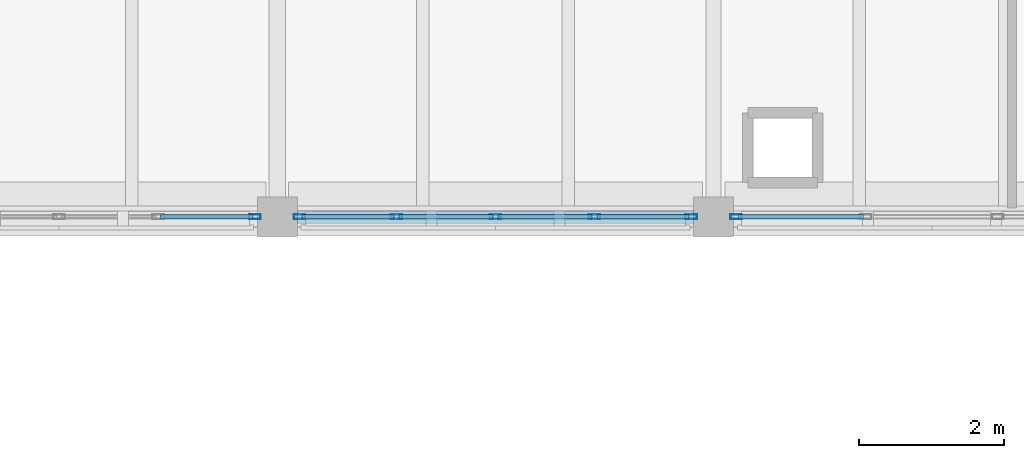
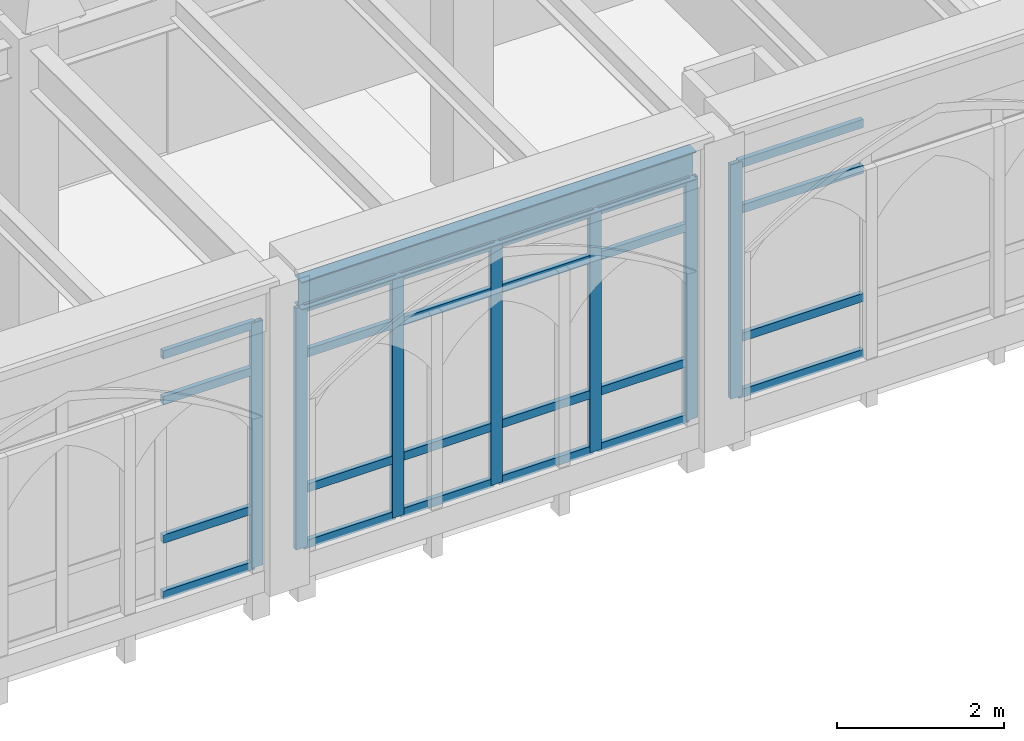
# One storey, part 16 of 108: 31 members, 1 beam, 3 elements without a shape of their own.
"""IFC4 building model written with IfcOpenShell, lengths in metres."""

from ifc_helpers import new_model, si_unit, direction, frame, origin, origin_2d, place, context, subcontext, project, spatial, hollow_rectangle, i_section, extrude, material, layer, layer_set, material_profile, profile_set, type_object, element, aggregate, save


model = new_model("IFC4")

# Units and contexts
model_context = context("Model", 3, precision=1e-05, world=origin(), true_north=direction((0.0, 1.0)))
body_context = subcontext(model_context, "Body", "Model", "MODEL_VIEW")
ifc_project = project(units=[si_unit("LENGTHUNIT", "METRE"), si_unit("AREAUNIT", "SQUARE_METRE"), si_unit("VOLUMEUNIT", "CUBIC_METRE"), si_unit("PLANEANGLEUNIT", "RADIAN"), si_unit("MASSUNIT", "GRAM", prefix="KILO")], contexts=[model_context])

# Site, building, storey
site_placement = place(None, origin())
site = spatial("IfcSite", under=ifc_project, at=site_placement, CompositionType="ELEMENT")
building_placement = place(site_placement, origin())
building = spatial("IfcBuilding", under=site, at=building_placement, Name="Cumevento Cable Car Station", CompositionType="ELEMENT")
storey_placement = place(building_placement, frame((0.0, 0.0, 13.5)))
storey = spatial("IfcBuildingStorey", under=building, at=storey_placement, Name="L04", CompositionType="ELEMENT", Elevation=13.5)

# Curtain wall, member
ifc_material_1 = material(Name="Anodised Bronze Aluminium AW-6063-T6", Category="aluminium")
ifc_layer_1 = layer(ifc_material_1, 0.22607421875)
ifc_layer_set_1 = layer_set([ifc_layer_1], Name="Anodised Bronze Aluminium AW-6063-T6")
curtain_wall_type_1 = type_object("IfcCurtainWallType", Name="Lancet Curtain Wall CW-12 1490", PredefinedType="NOTDEFINED", material=ifc_layer_set_1)
curtain_wall_1_placement = place(storey_placement, origin())
curtain_wall_1 = element("IfcCurtainWall", 1, at=curtain_wall_1_placement, inside=storey, type_object=curtain_wall_type_1, Name="Lancet Curtain Wall CW-12 L04 #155", PredefinedType="NOTDEFINED")
ifc_material_2 = material(Name="Anodised Bronze Aluminium AW-6063-T6", Category="aluminium")
ifc_material_profile_1 = material_profile(ifc_material_2, hollow_rectangle(XDim=0.06494140625, YDim=0.159912109375, WallThickness=0.00390625, at=origin_2d()), Name="ALUM65x160x4")
ifc_profile_set_1 = profile_set([ifc_material_profile_1], Name="Anodised Bronze Aluminium AW-6063-T6")
member_type_1 = type_object("IfcMemberType", Name="Curtain Mullion CWM-01 ALUM65x160x4", PredefinedType="MULLION", material=ifc_profile_set_1)
member_1_placement = place(storey_placement, frame((33.6923828125, 45.0, 0.31005859375), z_axis=(0.0, 0.0, 1.0), x_axis=(0.0, -1.0, 0.0)))
member_1 = element("IfcMember", 2, at=member_1_placement, type_object=member_type_1, Name="CW-12 mullion 1", PredefinedType="MULLION", context=body_context, shape_type="SweptSolid", body=[
    extrude(hollow_rectangle(XDim=0.06494140625, YDim=0.159912109375, WallThickness=0.00390625, at=origin_2d()), origin(), (0.0, 0.0, 1.0), 3.571044921875),
])

# Curtain wall, members
ifc_material_3 = material(Name="Anodised Bronze Aluminium AW-6063-T6", Category="aluminium")
ifc_layer_2 = layer(ifc_material_3, 0.23193359375)
ifc_layer_set_2 = layer_set([ifc_layer_2], Name="Anodised Bronze Aluminium AW-6063-T6")
curtain_wall_type_2 = type_object("IfcCurtainWallType", Name="Lancet Curtain Wall CW-13 1530", PredefinedType="NOTDEFINED", material=ifc_layer_set_2)
curtain_wall_2_placement = place(storey_placement, origin())
curtain_wall_2 = element("IfcCurtainWall", 3, at=curtain_wall_2_placement, inside=storey, type_object=curtain_wall_type_2, Name="Lancet Curtain Wall CW-13 L04 #156", PredefinedType="NOTDEFINED")
member_2_placement = place(storey_placement, frame((39.6923828125, 45.0, 0.360107421875), z_axis=(0.0, 0.0, 1.0), x_axis=(0.0, -1.0, 0.0)))
member_2 = element("IfcMember", 4, at=member_2_placement, type_object=member_type_1, Name="CW-13 mullion 1", PredefinedType="MULLION", context=body_context, shape_type="SweptSolid", body=[
    extrude(hollow_rectangle(XDim=0.06494140625, YDim=0.159912109375, WallThickness=0.00390625, at=origin_2d()), origin(), (0.0, 0.0, 1.0), 3.52099609375),
])
member_3_placement = place(storey_placement, frame((38.362548828125, 45.0, 0.360107421875), z_axis=(0.0, 0.0, 1.0), x_axis=(0.0, -1.0, 0.0)))
member_3 = element("IfcMember", 5, at=member_3_placement, type_object=member_type_1, Name="CW-13 mullion 2", PredefinedType="MULLION", context=body_context, shape_type="SweptSolid", body=[
    extrude(hollow_rectangle(XDim=0.06494140625, YDim=0.159912109375, WallThickness=0.00390625, at=origin_2d()), origin(), (0.0, 0.0, 1.0), 3.52099609375),
])
member_4_placement = place(storey_placement, frame((37.0, 45.0, 0.360107421875), z_axis=(0.0, 0.0, 1.0), x_axis=(0.0, -1.0, 0.0)))
member_4 = element("IfcMember", 6, at=member_4_placement, type_object=member_type_1, Name="CW-13 mullion 3", PredefinedType="MULLION", context=body_context, shape_type="SweptSolid", body=[
    extrude(hollow_rectangle(XDim=0.06494140625, YDim=0.159912109375, WallThickness=0.00390625, at=origin_2d()), origin(), (0.0, 0.0, 1.0), 3.52099609375),
])
member_5_placement = place(storey_placement, frame((35.637451171875, 45.0, 0.360107421875), z_axis=(0.0, 0.0, 1.0), x_axis=(0.0, -1.0, 0.0)))
member_5 = element("IfcMember", 7, at=member_5_placement, type_object=member_type_1, Name="CW-13 mullion 4", PredefinedType="MULLION", context=body_context, shape_type="SweptSolid", body=[
    extrude(hollow_rectangle(XDim=0.06494140625, YDim=0.159912109375, WallThickness=0.00390625, at=origin_2d()), origin(), (0.0, 0.0, 1.0), 3.52099609375),
])
member_6_placement = place(storey_placement, frame((34.3076171875, 45.0, 0.360107421875), z_axis=(0.0, 0.0, 1.0), x_axis=(0.0, -1.0, 0.0)))
member_6 = element("IfcMember", 8, at=member_6_placement, type_object=member_type_1, Name="CW-13 mullion 5", PredefinedType="MULLION", context=body_context, shape_type="SweptSolid", body=[
    extrude(hollow_rectangle(XDim=0.06494140625, YDim=0.159912109375, WallThickness=0.00390625, at=origin_2d()), origin(), (0.0, 0.0, 1.0), 3.52099609375),
])

# Curtain wall, member
ifc_material_4 = material(Name="Anodised Bronze Aluminium AW-6063-T6", Category="aluminium")
ifc_layer_3 = layer(ifc_material_4, 0.243896484375)
ifc_layer_set_3 = layer_set([ifc_layer_3], Name="Anodised Bronze Aluminium AW-6063-T6")
curtain_wall_type_3 = type_object("IfcCurtainWallType", Name="Lancet Curtain Wall CW-15 1610", PredefinedType="NOTDEFINED", material=ifc_layer_set_3)
curtain_wall_3_placement = place(storey_placement, origin())
curtain_wall_3 = element("IfcCurtainWall", 9, at=curtain_wall_3_placement, inside=storey, type_object=curtain_wall_type_3, Name="Lancet Curtain Wall CW-15 L04 #158", PredefinedType="NOTDEFINED")
member_7_placement = place(storey_placement, frame((40.3076171875, 45.0, 0.4599609375), z_axis=(0.0, 0.0, 1.0), x_axis=(0.0, -1.0, 0.0)))
member_7 = element("IfcMember", 10, at=member_7_placement, type_object=member_type_1, Name="CW-15 mullion 4", PredefinedType="MULLION", context=body_context, shape_type="SweptSolid", body=[
    extrude(hollow_rectangle(XDim=0.06494140625, YDim=0.159912109375, WallThickness=0.00390625, at=origin_2d()), origin(), (0.0, 0.0, 1.0), 3.421142578125),
])

# Member
ifc_material_5 = material(Name="Anodised Bronze Aluminium AW-6063-T6", Category="aluminium")
ifc_material_profile_2 = material_profile(ifc_material_5, hollow_rectangle(XDim=0.06494140625, YDim=0.1201171875, WallThickness=0.00390625, at=origin_2d()), Name="ALUT65x120x4")
ifc_profile_set_2 = profile_set([ifc_material_profile_2], Name="Anodised Bronze Aluminium AW-6063-T6")
member_type_2 = type_object("IfcMemberType", Name="Curtain Transom CWT-01 ALUT65x120x4", PredefinedType="USERDEFINED", material=ifc_profile_set_2)
member_8_placement = place(storey_placement, frame((33.659912109375, 45.0, 0.342529296875), z_axis=(-1.0, 0.0, 0.0), x_axis=(0.0, -1.0, 0.0)))
member_8 = element("IfcMember", 11, at=member_8_placement, type_object=member_type_2, Name="CW-12 transom 1.1", ObjectType="TRANSOM", PredefinedType="USERDEFINED", context=body_context, shape_type="SweptSolid", body=[
    extrude(hollow_rectangle(XDim=0.06494140625, YDim=0.1201171875, WallThickness=0.00390625, at=origin_2d()), origin(), (0.0, 0.0, 1.0), 1.264892578125),
])

member_9_placement = place(storey_placement, frame((33.659912109375, 45.0, 1.159912109375), z_axis=(-1.0, 0.0, 0.0), x_axis=(0.0, -1.0, 0.0)))
member_9 = element("IfcMember", 12, at=member_9_placement, type_object=member_type_2, Name="CW-12 transom 1.2", ObjectType="TRANSOM", PredefinedType="USERDEFINED", context=body_context, shape_type="SweptSolid", body=[
    extrude(hollow_rectangle(XDim=0.06494140625, YDim=0.1201171875, WallThickness=0.00390625, at=origin_2d()), origin(), (0.0, 0.0, 1.0), 1.264892578125),
])

member_10_placement = place(storey_placement, frame((33.659912109375, 45.0, 3.180908203125), z_axis=(-1.0, 0.0, 0.0), x_axis=(0.0, -1.0, 0.0)))
member_10 = element("IfcMember", 13, at=member_10_placement, type_object=member_type_2, Name="CW-12 transom 1.3", ObjectType="TRANSOM", PredefinedType="USERDEFINED", context=body_context, shape_type="SweptSolid", body=[
    extrude(hollow_rectangle(XDim=0.06494140625, YDim=0.1201171875, WallThickness=0.00390625, at=origin_2d()), origin(), (0.0, 0.0, 1.0), 1.264892578125),
])

member_11_placement = place(storey_placement, frame((33.659912109375, 45.0, 3.848388671875), z_axis=(-1.0, 0.0, 0.0), x_axis=(0.0, -1.0, 0.0)))
member_11 = element("IfcMember", 14, at=member_11_placement, type_object=member_type_2, Name="CW-12 transom 1.4", ObjectType="TRANSOM", PredefinedType="USERDEFINED", context=body_context, shape_type="SweptSolid", body=[
    extrude(hollow_rectangle(XDim=0.06494140625, YDim=0.1201171875, WallThickness=0.00390625, at=origin_2d()), origin(), (0.0, 0.0, 1.0), 1.264892578125),
])

aggregate(curtain_wall_1, [member_1, member_8, member_9, member_10, member_11])

member_12_placement = place(storey_placement, frame((39.659912109375, 45.0, 0.392578125), z_axis=(-1.0, 0.0, 0.0), x_axis=(0.0, -1.0, 0.0)))
member_12 = element("IfcMember", 15, at=member_12_placement, type_object=member_type_2, Name="CW-13 transom 1.1", ObjectType="TRANSOM", PredefinedType="USERDEFINED", context=body_context, shape_type="SweptSolid", body=[
    extrude(hollow_rectangle(XDim=0.06494140625, YDim=0.1201171875, WallThickness=0.00390625, at=origin_2d()), origin(), (0.0, 0.0, 1.0), 1.264892578125),
])

member_13_placement = place(storey_placement, frame((39.659912109375, 45.0, 1.2099609375), z_axis=(-1.0, 0.0, 0.0), x_axis=(0.0, -1.0, 0.0)))
member_13 = element("IfcMember", 16, at=member_13_placement, type_object=member_type_2, Name="CW-13 transom 1.2", ObjectType="TRANSOM", PredefinedType="USERDEFINED", context=body_context, shape_type="SweptSolid", body=[
    extrude(hollow_rectangle(XDim=0.06494140625, YDim=0.1201171875, WallThickness=0.00390625, at=origin_2d()), origin(), (0.0, 0.0, 1.0), 1.264892578125),
])

member_14_placement = place(storey_placement, frame((39.659912109375, 45.0, 3.180908203125), z_axis=(-1.0, 0.0, 0.0), x_axis=(0.0, -1.0, 0.0)))
member_14 = element("IfcMember", 17, at=member_14_placement, type_object=member_type_2, Name="CW-13 transom 1.3", ObjectType="TRANSOM", PredefinedType="USERDEFINED", context=body_context, shape_type="SweptSolid", body=[
    extrude(hollow_rectangle(XDim=0.06494140625, YDim=0.1201171875, WallThickness=0.00390625, at=origin_2d()), origin(), (0.0, 0.0, 1.0), 1.264892578125),
])

member_15_placement = place(storey_placement, frame((39.659912109375, 45.0, 3.848388671875), z_axis=(-1.0, 0.0, 0.0), x_axis=(0.0, -1.0, 0.0)))
member_15 = element("IfcMember", 18, at=member_15_placement, type_object=member_type_2, Name="CW-13 transom 1.4", ObjectType="TRANSOM", PredefinedType="USERDEFINED", context=body_context, shape_type="SweptSolid", body=[
    extrude(hollow_rectangle(XDim=0.06494140625, YDim=0.1201171875, WallThickness=0.00390625, at=origin_2d()), origin(), (0.0, 0.0, 1.0), 1.264892578125),
])

member_16_placement = place(storey_placement, frame((38.330078125, 45.0, 0.392578125), z_axis=(-1.0, 0.0, 0.0), x_axis=(0.0, -1.0, 0.0)))
member_16 = element("IfcMember", 19, at=member_16_placement, type_object=member_type_2, Name="CW-13 transom 2.1", ObjectType="TRANSOM", PredefinedType="USERDEFINED", context=body_context, shape_type="SweptSolid", body=[
    extrude(hollow_rectangle(XDim=0.06494140625, YDim=0.1201171875, WallThickness=0.00390625, at=origin_2d()), origin(), (0.0, 0.0, 1.0), 1.297607421875),
])

member_17_placement = place(storey_placement, frame((38.330078125, 45.0, 1.2099609375), z_axis=(-1.0, 0.0, 0.0), x_axis=(0.0, -1.0, 0.0)))
member_17 = element("IfcMember", 20, at=member_17_placement, type_object=member_type_2, Name="CW-13 transom 2.2", ObjectType="TRANSOM", PredefinedType="USERDEFINED", context=body_context, shape_type="SweptSolid", body=[
    extrude(hollow_rectangle(XDim=0.06494140625, YDim=0.1201171875, WallThickness=0.00390625, at=origin_2d()), origin(), (0.0, 0.0, 1.0), 1.297607421875),
])

member_18_placement = place(storey_placement, frame((38.330078125, 45.0, 3.180908203125), z_axis=(-1.0, 0.0, 0.0), x_axis=(0.0, -1.0, 0.0)))
member_18 = element("IfcMember", 21, at=member_18_placement, type_object=member_type_2, Name="CW-13 transom 2.3", ObjectType="TRANSOM", PredefinedType="USERDEFINED", context=body_context, shape_type="SweptSolid", body=[
    extrude(hollow_rectangle(XDim=0.06494140625, YDim=0.1201171875, WallThickness=0.00390625, at=origin_2d()), origin(), (0.0, 0.0, 1.0), 1.297607421875),
])

member_19_placement = place(storey_placement, frame((38.330078125, 45.0, 3.848388671875), z_axis=(-1.0, 0.0, 0.0), x_axis=(0.0, -1.0, 0.0)))
member_19 = element("IfcMember", 22, at=member_19_placement, type_object=member_type_2, Name="CW-13 transom 2.4", ObjectType="TRANSOM", PredefinedType="USERDEFINED", context=body_context, shape_type="SweptSolid", body=[
    extrude(hollow_rectangle(XDim=0.06494140625, YDim=0.1201171875, WallThickness=0.00390625, at=origin_2d()), origin(), (0.0, 0.0, 1.0), 1.297607421875),
])

member_20_placement = place(storey_placement, frame((36.967529296875, 45.0, 0.392578125), z_axis=(-1.0, 0.0, 0.0), x_axis=(0.0, -1.0, 0.0)))
member_20 = element("IfcMember", 23, at=member_20_placement, type_object=member_type_2, Name="CW-13 transom 3.1", ObjectType="TRANSOM", PredefinedType="USERDEFINED", context=body_context, shape_type="SweptSolid", body=[
    extrude(hollow_rectangle(XDim=0.06494140625, YDim=0.1201171875, WallThickness=0.00390625, at=origin_2d()), origin(), (0.0, 0.0, 1.0), 1.297607421875),
])

member_21_placement = place(storey_placement, frame((36.967529296875, 45.0, 1.2099609375), z_axis=(-1.0, 0.0, 0.0), x_axis=(0.0, -1.0, 0.0)))
member_21 = element("IfcMember", 24, at=member_21_placement, type_object=member_type_2, Name="CW-13 transom 3.2", ObjectType="TRANSOM", PredefinedType="USERDEFINED", context=body_context, shape_type="SweptSolid", body=[
    extrude(hollow_rectangle(XDim=0.06494140625, YDim=0.1201171875, WallThickness=0.00390625, at=origin_2d()), origin(), (0.0, 0.0, 1.0), 1.297607421875),
])

member_22_placement = place(storey_placement, frame((36.967529296875, 45.0, 3.180908203125), z_axis=(-1.0, 0.0, 0.0), x_axis=(0.0, -1.0, 0.0)))
member_22 = element("IfcMember", 25, at=member_22_placement, type_object=member_type_2, Name="CW-13 transom 3.3", ObjectType="TRANSOM", PredefinedType="USERDEFINED", context=body_context, shape_type="SweptSolid", body=[
    extrude(hollow_rectangle(XDim=0.06494140625, YDim=0.1201171875, WallThickness=0.00390625, at=origin_2d()), origin(), (0.0, 0.0, 1.0), 1.297607421875),
])

member_23_placement = place(storey_placement, frame((36.967529296875, 45.0, 3.848388671875), z_axis=(-1.0, 0.0, 0.0), x_axis=(0.0, -1.0, 0.0)))
member_23 = element("IfcMember", 26, at=member_23_placement, type_object=member_type_2, Name="CW-13 transom 3.4", ObjectType="TRANSOM", PredefinedType="USERDEFINED", context=body_context, shape_type="SweptSolid", body=[
    extrude(hollow_rectangle(XDim=0.06494140625, YDim=0.1201171875, WallThickness=0.00390625, at=origin_2d()), origin(), (0.0, 0.0, 1.0), 1.297607421875),
])

member_24_placement = place(storey_placement, frame((35.60498046875, 45.0, 0.392578125), z_axis=(-1.0, 0.0, 0.0), x_axis=(0.0, -1.0, 0.0)))
member_24 = element("IfcMember", 27, at=member_24_placement, type_object=member_type_2, Name="CW-13 transom 4.1", ObjectType="TRANSOM", PredefinedType="USERDEFINED", context=body_context, shape_type="SweptSolid", body=[
    extrude(hollow_rectangle(XDim=0.06494140625, YDim=0.1201171875, WallThickness=0.00390625, at=origin_2d()), origin(), (0.0, 0.0, 1.0), 1.264892578125),
])

member_25_placement = place(storey_placement, frame((35.60498046875, 45.0, 1.2099609375), z_axis=(-1.0, 0.0, 0.0), x_axis=(0.0, -1.0, 0.0)))
member_25 = element("IfcMember", 28, at=member_25_placement, type_object=member_type_2, Name="CW-13 transom 4.2", ObjectType="TRANSOM", PredefinedType="USERDEFINED", context=body_context, shape_type="SweptSolid", body=[
    extrude(hollow_rectangle(XDim=0.06494140625, YDim=0.1201171875, WallThickness=0.00390625, at=origin_2d()), origin(), (0.0, 0.0, 1.0), 1.264892578125),
])

member_26_placement = place(storey_placement, frame((35.60498046875, 45.0, 3.180908203125), z_axis=(-1.0, 0.0, 0.0), x_axis=(0.0, -1.0, 0.0)))
member_26 = element("IfcMember", 29, at=member_26_placement, type_object=member_type_2, Name="CW-13 transom 4.3", ObjectType="TRANSOM", PredefinedType="USERDEFINED", context=body_context, shape_type="SweptSolid", body=[
    extrude(hollow_rectangle(XDim=0.06494140625, YDim=0.1201171875, WallThickness=0.00390625, at=origin_2d()), origin(), (0.0, 0.0, 1.0), 1.264892578125),
])

member_27_placement = place(storey_placement, frame((35.60498046875, 45.0, 3.848388671875), z_axis=(-1.0, 0.0, 0.0), x_axis=(0.0, -1.0, 0.0)))
member_27 = element("IfcMember", 30, at=member_27_placement, type_object=member_type_2, Name="CW-13 transom 4.4", ObjectType="TRANSOM", PredefinedType="USERDEFINED", context=body_context, shape_type="SweptSolid", body=[
    extrude(hollow_rectangle(XDim=0.06494140625, YDim=0.1201171875, WallThickness=0.00390625, at=origin_2d()), origin(), (0.0, 0.0, 1.0), 1.264892578125),
])

aggregate(curtain_wall_2, [member_2, member_3, member_4, member_5, member_6, member_12, member_13, member_14, member_15, member_16, member_17, member_18, member_19, member_20, member_21, member_22, member_23, member_24, member_25, member_26, member_27])

member_28_placement = place(storey_placement, frame((42.05908203125, 45.0, 0.492431640625), z_axis=(-1.0, 0.0, 0.0), x_axis=(0.0, -1.0, 0.0)))
member_28 = element("IfcMember", 31, at=member_28_placement, type_object=member_type_2, Name="CW-15 transom 3.1", ObjectType="TRANSOM", PredefinedType="USERDEFINED", context=body_context, shape_type="SweptSolid", body=[
    extrude(hollow_rectangle(XDim=0.06494140625, YDim=0.1201171875, WallThickness=0.00390625, at=origin_2d()), origin(), (0.0, 0.0, 1.0), 1.718994140625),
])

member_29_placement = place(storey_placement, frame((42.05908203125, 45.0, 1.31005859375), z_axis=(-1.0, 0.0, 0.0), x_axis=(0.0, -1.0, 0.0)))
member_29 = element("IfcMember", 32, at=member_29_placement, type_object=member_type_2, Name="CW-15 transom 3.2", ObjectType="TRANSOM", PredefinedType="USERDEFINED", context=body_context, shape_type="SweptSolid", body=[
    extrude(hollow_rectangle(XDim=0.06494140625, YDim=0.1201171875, WallThickness=0.00390625, at=origin_2d()), origin(), (0.0, 0.0, 1.0), 1.718994140625),
])

member_30_placement = place(storey_placement, frame((42.05908203125, 45.0, 3.180908203125), z_axis=(-1.0, 0.0, 0.0), x_axis=(0.0, -1.0, 0.0)))
member_30 = element("IfcMember", 33, at=member_30_placement, type_object=member_type_2, Name="CW-15 transom 3.3", ObjectType="TRANSOM", PredefinedType="USERDEFINED", context=body_context, shape_type="SweptSolid", body=[
    extrude(hollow_rectangle(XDim=0.06494140625, YDim=0.1201171875, WallThickness=0.00390625, at=origin_2d()), origin(), (0.0, 0.0, 1.0), 1.718994140625),
])

member_31_placement = place(storey_placement, frame((42.05908203125, 45.0, 3.848388671875), z_axis=(-1.0, 0.0, 0.0), x_axis=(0.0, -1.0, 0.0)))
member_31 = element("IfcMember", 34, at=member_31_placement, type_object=member_type_2, Name="CW-15 transom 3.4", ObjectType="TRANSOM", PredefinedType="USERDEFINED", context=body_context, shape_type="SweptSolid", body=[
    extrude(hollow_rectangle(XDim=0.06494140625, YDim=0.1201171875, WallThickness=0.00390625, at=origin_2d()), origin(), (0.0, 0.0, 1.0), 1.718994140625),
])

aggregate(curtain_wall_3, [member_7, member_28, member_29, member_30, member_31])

# Beam
ifc_material_6 = material(Name="Steel ASTM A572 Grade 50", Category="steel")
ifc_material_profile_3 = material_profile(ifc_material_6, i_section(OverallWidth=0.177978515625, OverallDepth=0.406982421875, WebThickness=0.0078125, FlangeThickness=0.0126953125, at=origin_2d()), Name="W410x60.0")
ifc_profile_set_3 = profile_set([ifc_material_profile_3], Name="Steel ASTM A572 Grade 50")
beam_type = type_object("IfcBeamType", Name="Structural Spandrel SP-01 W410x60.0", PredefinedType="SPANDREL", material=ifc_profile_set_3)
beam_placement = place(storey_placement, frame((34.27490234375, 45.0, 4.08447265625), z_axis=(1.0, 0.0, 0.0), x_axis=(0.0, 1.0, 0.0)))
element("IfcBeam", 35, at=beam_placement, inside=storey, type_object=beam_type, Name="Beam SP-01 L04 #1379", PredefinedType="SPANDREL", context=body_context, shape_type="SweptSolid", body=[
    extrude(i_section(OverallWidth=0.177978515625, OverallDepth=0.406982421875, WebThickness=0.0078125, FlangeThickness=0.0126953125, at=origin_2d()), origin(), (0.0, 0.0, 1.0), 5.4501953125),
])

save(model, "model.ifc")
